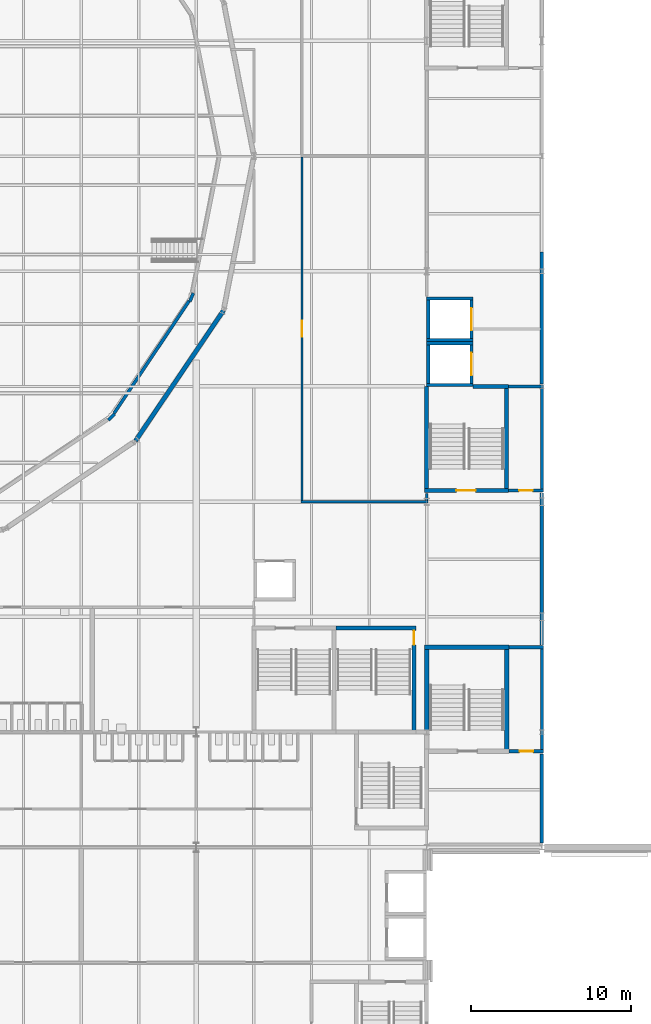
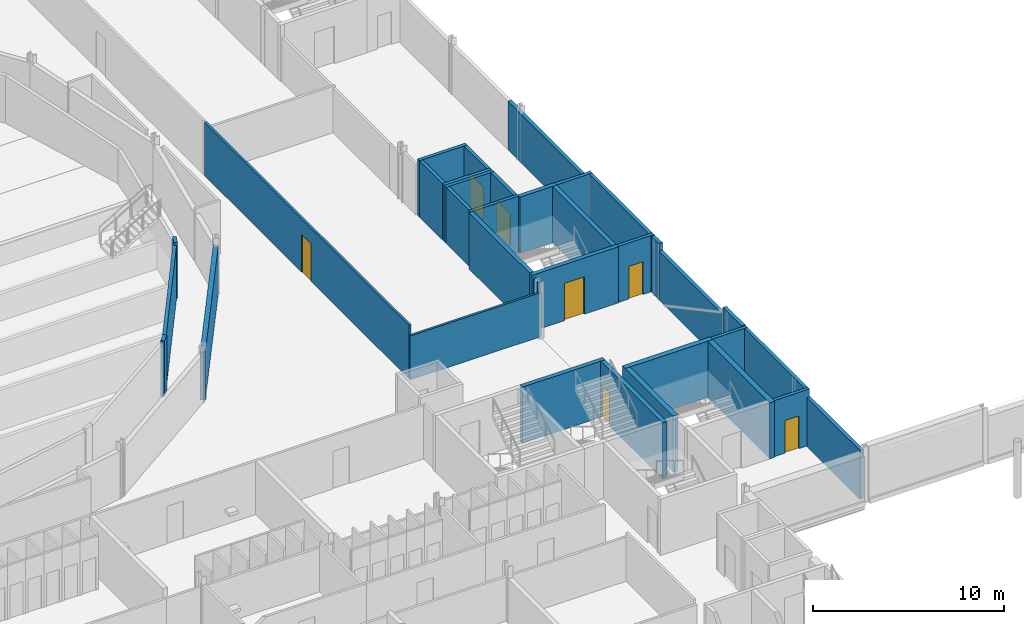
# One storey, part 50 of 90: 35 walls, 7 doors, 7 openings.
"""IFC4 building model written with IfcOpenShell, lengths in metres."""

from ifc_helpers import new_model, si_unit, direction, frame, frame_2d, origin, place, context, subcontext, project, spatial, rectangle, extrude, material, layer, layer_set, type_object, element, fill, save


model = new_model("IFC4")

# Units and contexts
model_context = context("Model", 3, precision=1e-05, world=origin(), true_north=direction((0.0, 1.0)))
body_context = subcontext(model_context, "Body", "Model", "MODEL_VIEW")
ifc_project = project(units=[si_unit("LENGTHUNIT", "METRE"), si_unit("AREAUNIT", "SQUARE_METRE"), si_unit("VOLUMEUNIT", "CUBIC_METRE"), si_unit("PLANEANGLEUNIT", "RADIAN"), si_unit("MASSUNIT", "GRAM", prefix="KILO")], contexts=[model_context])

# Site, building, storey
site_placement = place(None, origin())
site = spatial("IfcSite", under=ifc_project, at=site_placement, CompositionType="ELEMENT")
building_placement = place(site_placement, origin())
building = spatial("IfcBuilding", under=site, at=building_placement, Name="Kupolbacken Congress Centre", CompositionType="ELEMENT")
storey_placement = place(building_placement, frame((0.0, 0.0, 3.60009765625)))
storey = spatial("IfcBuildingStorey", under=building, at=storey_placement, Name="L01", CompositionType="ELEMENT", Elevation=3.60009765625)

# Walls
ifc_material_1 = material(Name="Gypsum board", Category="drywall")
ifc_layer_1 = layer(ifc_material_1, 0.135009765625)
ifc_layer_set_1 = layer_set([ifc_layer_1], Name="Gypsum board")
wall_type_1 = type_object("IfcWallType", Name="P06 compartment wall 135", PredefinedType="PARTITIONING", material=ifc_layer_set_1)
wall_1_placement = place(storey_placement, frame((79.199951171875, 65.31494140625, 0.0), z_axis=(0.0, 0.0, 1.0), x_axis=(0.0, -1.0, 0.0)))
element("IfcWall", 1, at=wall_1_placement, inside=storey, type_object=wall_type_1, Name="PD/L01/W009", PredefinedType="PARTITIONING", context=body_context, shape_type="SweptSolid", body=[
    extrude(rectangle(XDim=0.447509765625, YDim=0.135009765625, at=frame_2d((0.2236328125, 0.0))), origin(), (0.0, 0.0, 1.0), 3.419921875),
])
wall_2_placement = place(storey_placement, frame((79.267578125, 64.800048828125, 0.0), z_axis=(0.0, 0.0, 1.0), x_axis=(-1.0, 0.0, 0.0)))
element("IfcWall", 2, at=wall_2_placement, inside=storey, type_object=wall_type_1, Name="PD/L01/W068", PredefinedType="PARTITIONING", context=body_context, shape_type="SweptSolid", body=[
    extrude(rectangle(XDim=7.93505859375, YDim=0.135009765625, at=frame_2d((3.967529296875, 0.0))), origin(), (0.0, 0.0, 1.0), 2.81982421875),
])

# Wall, opening, door
wall_3_placement = place(storey_placement, frame((71.39990234375, 64.867431640625, 0.0), z_axis=(0.0, 0.0, 1.0), x_axis=(0.0, 1.0, 0.0)))
wall_3 = element("IfcWall", 3, at=wall_3_placement, inside=storey, type_object=wall_type_1, Name="PD/L01/W069", PredefinedType="PARTITIONING", context=body_context, shape_type="SweptSolid", body=[
    extrude(rectangle(XDim=21.465087890625, YDim=0.135009765625, at=frame_2d((10.732421875, 0.0))), origin(), (0.0, 0.0, 1.0), 3.419921875),
])
opening_1_placement = place(wall_3_placement, frame((10.25, 0.0, 0.0)))
opening_1 = element("IfcOpeningElement", 4, at=opening_1_placement, cuts=wall_3, Name="Opening 1.P15", PredefinedType="OPENING", context=body_context, shape_type="SweptSolid", body=[
    extrude(rectangle(XDim=1.0, YDim=2.39990234375, at=frame_2d((0.5, 1.199951171875))), frame((0.0, 0.077392578125, 0.0), z_axis=(0.0, -1.0, 0.0), x_axis=(1.0, 0.0, 0.0)), (0.0, 0.0, 1.0), 0.155029296875),
])
ifc_material_2 = material(Name="Steel fire door leaf", Category="steel")
door_type_1 = type_object("IfcDoorType", Name="D8 fire door 1000x2400", OperationType="SINGLE_SWING_LEFT", PredefinedType="DOOR", material=ifc_material_2)
door_1_placement = place(opening_1_placement, frame((1.0, 0.0, 0.0), z_axis=(0.0, 0.0, 1.0), x_axis=(-1.0, 0.0, 0.0)))
door_1 = element("IfcDoor", 5, at=door_1_placement, inside=storey, type_object=door_type_1, Name="PD/L01/W069/D1P15", OperationType="SINGLE_SWING_LEFT", OverallHeight=2.39990234375, OverallWidth=1.0, PredefinedType="DOOR", context=body_context, shape_type="SweptSolid", body=[
    extrude(rectangle(XDim=1.0, YDim=2.39990234375, at=frame_2d((0.5, 1.199951171875))), frame((0.0, 0.02490234375, 0.0), z_axis=(0.0, -1.0, 0.0), x_axis=(1.0, 0.0, 0.0)), (0.0, 0.0, 1.0), 0.050048828125),
])
fill(opening_1, door_1)

# Walls
ifc_material_3 = material(Name="Gypsum board", Category="drywall")
ifc_layer_2 = layer(ifc_material_3, 0.27490234375)
ifc_layer_set_2 = layer_set([ifc_layer_2], Name="Gypsum board")
wall_type_2 = type_object("IfcWallType", Name="P12 partition 275", PredefinedType="PARTITIONING", material=ifc_layer_set_2)
wall_4_placement = place(storey_placement, frame((61.0, 68.60009765625, 0.0), z_axis=(0.0, 0.0, 1.0), x_axis=(0.559390118145, 0.828904515443, 0.0)))
element("IfcWall", 6, at=wall_4_placement, inside=storey, type_object=wall_type_2, Name="PD/L01/W103", PredefinedType="PARTITIONING", context=body_context, shape_type="SweptSolid", body=[
    extrude(rectangle(XDim=9.83203125, YDim=0.27490234375, at=frame_2d((4.916015625, 0.0))), origin(), (0.0, 0.0, 1.0), 3.06982421875),
])
ifc_material_4 = material(Name="Dense concrete block", Category="masonry")
ifc_layer_3 = layer(ifc_material_4, 0.215087890625)
ifc_layer_set_3 = layer_set([ifc_layer_3], Name="Dense concrete block")
wall_type_3 = type_object("IfcWallType", Name="P15 partition 215", PredefinedType="PARTITIONING", material=ifc_layer_set_3)
wall_5_placement = place(storey_placement, frame((86.39990234375, 43.47998046875, 0.0), z_axis=(0.0, 0.0, 1.0), x_axis=(0.0, 1.0, 0.0)))
element("IfcWall", 7, at=wall_5_placement, inside=storey, type_object=wall_type_3, Name="PD/L01/W008", PredefinedType="PARTITIONING", context=body_context, shape_type="SweptSolid", body=[
    extrude(rectangle(XDim=5.56005859375, YDim=0.215087890625, at=frame_2d((2.780029296875, 0.0))), origin(), (0.0, 0.0, 1.0), 3.14990234375),
])
wall_6_placement = place(storey_placement, frame((86.39990234375, 55.860107421875, 0.0), z_axis=(0.0, 0.0, 1.0), x_axis=(0.0, 1.0, 0.0)))
element("IfcWall", 8, at=wall_6_placement, inside=storey, type_object=wall_type_3, Name="PD/L01/W010", PredefinedType="PARTITIONING", context=body_context, shape_type="SweptSolid", body=[
    extrude(rectangle(XDim=1.98486328125, YDim=0.215087890625, at=frame_2d((0.992431640625, 0.0))), origin(), (0.0, 0.0, 1.0), 3.599853515625),
])
wall_7_placement = place(storey_placement, frame((86.39990234375, 80.39990234375, 0.0), z_axis=(0.0, 0.0, 1.0), x_axis=(0.0, -1.0, 0.0)))
element("IfcWall", 9, at=wall_7_placement, inside=storey, type_object=wall_type_3, Name="PD/L01/W012", PredefinedType="PARTITIONING", context=body_context, shape_type="SweptSolid", body=[
    extrude(rectangle(XDim=8.239990234375, YDim=0.215087890625, at=frame_2d((4.1201171875, 0.0))), origin(), (0.0, 0.0, 1.0), 3.119873046875),
])
wall_8_placement = place(storey_placement, frame((86.39990234375, 57.844970703125, 0.0), z_axis=(0.0, 0.0, 1.0), x_axis=(0.0, 1.0, 0.0)))
element("IfcWall", 10, at=wall_8_placement, inside=storey, type_object=wall_type_3, Name="PD/L01/W010.h1", PredefinedType="PARTITIONING", context=body_context, shape_type="SweptSolid", body=[
    extrude(rectangle(XDim=6.7099609375, YDim=0.215087890625, at=frame_2d((3.35498046875, 0.0))), origin(), (0.0, 0.0, 1.0), 3.119873046875),
])
wall_9_placement = place(storey_placement, frame((86.39990234375, 64.554931640625, 0.0), z_axis=(0.0, 0.0, 1.0), x_axis=(0.0, 1.0, 0.0)))
element("IfcWall", 11, at=wall_9_placement, inside=storey, type_object=wall_type_3, Name="PD/L01/W010.h2", PredefinedType="PARTITIONING", context=body_context, shape_type="SweptSolid", body=[
    extrude(rectangle(XDim=0.78515625, YDim=0.215087890625, at=frame_2d((0.392578125, 0.0))), origin(), (0.0, 0.0, 1.0), 3.599853515625),
])
ifc_material_5 = material(Name="Concrete C40/50", Category="concrete")
ifc_layer_4 = layer(ifc_material_5, 0.199951171875)
ifc_layer_set_4 = layer_set([ifc_layer_4], Name="Concrete C40/50")
wall_type_4 = type_object("IfcWallType", Name="TW1 RC tier wall 200", PredefinedType="SOLIDWALL", material=ifc_layer_set_4)
wall_10_placement = place(storey_placement, frame((59.66357421875, 70.332275390625, 0.0), z_axis=(0.0, 0.0, 1.0), x_axis=(0.555575794142, 0.831465896453, 0.0)))
element("IfcWall", 12, at=wall_10_placement, inside=storey, type_object=wall_type_4, Name="PD/L01/ringwall/3150", PredefinedType="SOLIDWALL", context=body_context, shape_type="SweptSolid", body=[
    extrude(rectangle(XDim=8.42626953125, YDim=0.199951171875, at=frame_2d((4.213134765625, 0.0))), origin(), (0.0, 0.0, 1.0), 3.431884765625),
])
for number, where, z_axis, x_axis, name in (
    (13, (59.30712890625, 69.89697265625, 0.0), (0.0, 0.0, 1.0), (0.707106781187, 0.707106781187, 0.0), "PD/L01/ringpier/3150"),
    (14, (64.396484375, 77.317138671875, 0.0), (0.0, 0.0, 1.0), (0.382788170111, 0.92383614176, 0.0), "PD/L01/ringpier/3375"),
):
    element("IfcWall", number, at=place(storey_placement, frame(where, z_axis=z_axis, x_axis=x_axis)), inside=storey, type_object=wall_type_4, Name=name, PredefinedType="SOLIDWALL", context=body_context, shape_type="SweptSolid", body=[
        extrude(rectangle(XDim=0.56005859375, YDim=0.199951171875, at=frame_2d((0.280029296875, 0.0))), origin(), (0.0, 0.0, 1.0), 3.599853515625),
    ])

# Wall, opening, door
ifc_material_6 = material(Name="Concrete C40/50", Category="concrete")
ifc_layer_5 = layer(ifc_material_6, 0.199951171875)
ifc_layer_set_5 = layer_set([ifc_layer_5], Name="Concrete C40/50")
wall_type_5 = type_object("IfcWallType", Name="WC1 RC shaft wall 200", PredefinedType="SHEAR", material=ifc_layer_set_5)
wall_11_placement = place(storey_placement, frame((84.35009765625, 49.199951171875, 0.0), z_axis=(0.0, 0.0, 1.0), x_axis=(1.0, 0.0, 0.0)))
wall_11 = element("IfcWall", 15, at=wall_11_placement, inside=storey, type_object=wall_type_5, Name="Shaft wall L01-020", PredefinedType="SHEAR", context=body_context, shape_type="SweptSolid", body=[
    extrude(rectangle(XDim=2.14990234375, YDim=0.199951171875, at=frame_2d((1.074951171875, 0.0))), origin(), (0.0, 0.0, 1.0), 3.599853515625),
])
opening_2_placement = place(wall_11_placement, frame((0.64990234375, 0.0, 0.0)))
opening_2 = element("IfcOpeningElement", 16, at=opening_2_placement, cuts=wall_11, Name="Opening 1.L05", PredefinedType="OPENING", context=body_context, shape_type="SweptSolid", body=[
    extrude(rectangle(XDim=0.85009765625, YDim=2.10009765625, at=frame_2d((0.425048828125, 1.050048828125))), frame((0.0, 0.10986328125, 0.0), z_axis=(0.0, -1.0, 0.0), x_axis=(1.0, 0.0, 0.0)), (0.0, 0.0, 1.0), 0.219970703125),
])
ifc_material_7 = material(Name="Steel fire door leaf", Category="steel")
door_type_2 = type_object("IfcDoorType", Name="D3 fire door 850x2100", OperationType="SINGLE_SWING_LEFT", PredefinedType="DOOR", material=ifc_material_7)
door_2_placement = place(opening_2_placement, origin())
door_2 = element("IfcDoor", 17, at=door_2_placement, inside=storey, type_object=door_type_2, Name="S/core/L01/020/D1L05", OperationType="SINGLE_SWING_LEFT", OverallHeight=2.10009765625, OverallWidth=0.85009765625, PredefinedType="DOOR", context=body_context, shape_type="SweptSolid", body=[
    extrude(rectangle(XDim=0.85009765625, YDim=2.10009765625, at=frame_2d((0.425048828125, 1.050048828125))), frame((0.0, 0.02490234375, 0.0), z_axis=(0.0, -1.0, 0.0), x_axis=(1.0, 0.0, 0.0)), (0.0, 0.0, 1.0), 0.050048828125),
])
fill(opening_2, door_2)

# Walls
wall_12_placement = place(storey_placement, frame((86.39990234375, 49.10009765625, 0.0), z_axis=(0.0, 0.0, 1.0), x_axis=(0.0, 1.0, 0.0)))
element("IfcWall", 18, at=wall_12_placement, inside=storey, type_object=wall_type_5, Name="Shaft wall L01-022", PredefinedType="SHEAR", context=body_context, shape_type="SweptSolid", body=[
    extrude(rectangle(XDim=6.699951171875, YDim=0.199951171875, at=frame_2d((3.35009765625, 0.0))), origin(), (0.0, 0.0, 1.0), 3.599853515625),
])
wall_13_placement = place(storey_placement, frame((86.5, 55.699951171875, 0.0), z_axis=(0.0, 0.0, 1.0), x_axis=(-1.0, 0.0, 0.0)))
element("IfcWall", 19, at=wall_13_placement, inside=storey, type_object=wall_type_5, Name="Shaft wall L01-039", PredefinedType="SHEAR", context=body_context, shape_type="SweptSolid", body=[
    extrude(rectangle(XDim=2.14990234375, YDim=0.199951171875, at=frame_2d((1.074951171875, 0.0))), origin(), (0.0, 0.0, 1.0), 3.599853515625),
])

# Wall, opening, door
wall_14_placement = place(storey_placement, frame((84.324951171875, 65.5, 0.0), z_axis=(0.0, 0.0, 1.0), x_axis=(1.0, 0.0, 0.0)))
wall_14 = element("IfcWall", 20, at=wall_14_placement, inside=storey, type_object=wall_type_5, Name="Shaft wall L01-046", PredefinedType="SHEAR", context=body_context, shape_type="SweptSolid", body=[
    extrude(rectangle(XDim=2.175048828125, YDim=0.199951171875, at=frame_2d((1.08740234375, 0.0))), origin(), (0.0, 0.0, 1.0), 3.599853515625),
])
opening_3_placement = place(wall_14_placement, frame((0.64990234375, 0.0, 0.0)))
opening_3 = element("IfcOpeningElement", 21, at=opening_3_placement, cuts=wall_14, Name="Opening 1.L07", PredefinedType="OPENING", context=body_context, shape_type="SweptSolid", body=[
    extrude(rectangle(XDim=0.85009765625, YDim=2.10009765625, at=frame_2d((0.425048828125, 1.050048828125))), frame((0.0, 0.10986328125, 0.0), z_axis=(0.0, -1.0, 0.0), x_axis=(1.0, 0.0, 0.0)), (0.0, 0.0, 1.0), 0.219970703125),
])
door_3_placement = place(opening_3_placement, origin())
door_3 = element("IfcDoor", 22, at=door_3_placement, inside=storey, type_object=door_type_2, Name="S/core/L01/046/D1L07", OperationType="SINGLE_SWING_LEFT", OverallHeight=2.10009765625, OverallWidth=0.85009765625, PredefinedType="DOOR", context=body_context, shape_type="SweptSolid", body=[
    extrude(rectangle(XDim=0.85009765625, YDim=2.10009765625, at=frame_2d((0.425048828125, 1.050048828125))), frame((0.0, 0.02490234375, 0.0), z_axis=(0.0, -1.0, 0.0), x_axis=(1.0, 0.0, 0.0)), (0.0, 0.0, 1.0), 0.050048828125),
])
fill(opening_3, door_3)

# Walls
wall_15_placement = place(storey_placement, frame((86.39990234375, 65.39990234375, 0.0), z_axis=(0.0, 0.0, 1.0), x_axis=(0.0, 1.0, 0.0)))
element("IfcWall", 23, at=wall_15_placement, inside=storey, type_object=wall_type_5, Name="Shaft wall L01-048", PredefinedType="SHEAR", context=body_context, shape_type="SweptSolid", body=[
    extrude(rectangle(XDim=6.7001953125, YDim=0.199951171875, at=frame_2d((3.35009765625, 0.0))), origin(), (0.0, 0.0, 1.0), 3.599853515625),
])
wall_16_placement = place(storey_placement, frame((86.5, 72.0, 0.0), z_axis=(0.0, 0.0, 1.0), x_axis=(-1.0, 0.0, 0.0)))
element("IfcWall", 24, at=wall_16_placement, inside=storey, type_object=wall_type_5, Name="Shaft wall L01-051", PredefinedType="SHEAR", context=body_context, shape_type="SweptSolid", body=[
    extrude(rectangle(XDim=2.175048828125, YDim=0.199951171875, at=frame_2d((1.08740234375, 0.0))), origin(), (0.0, 0.0, 1.0), 3.599853515625),
])
for number, where, z_axis, x_axis, name in (
    (25, (79.199951171875, 72.10009765625, 0.0), (0.0, 0.0, 1.0), (1.0, 0.0, 0.0), "Shaft wall LG3"),
    (26, (79.199951171875, 74.699951171875, 0.0), (0.0, 0.0, 1.0), (1.0, 0.0, 0.0), "Shaft wall LG3"),
):
    element("IfcWall", number, at=place(storey_placement, frame(where, z_axis=z_axis, x_axis=x_axis)), inside=storey, type_object=wall_type_5, Name=name, PredefinedType="SHEAR", context=body_context, shape_type="SweptSolid", body=[
        extrude(rectangle(XDim=2.900146484375, YDim=0.199951171875, at=frame_2d((1.4501953125, 0.0))), origin(), (0.0, 0.0, 1.0), 3.599853515625),
    ])
wall_17_placement = place(storey_placement, frame((79.300048828125, 72.199951171875, 0.0), z_axis=(0.0, 0.0, 1.0), x_axis=(0.0, 1.0, 0.0)))
element("IfcWall", 27, at=wall_17_placement, inside=storey, type_object=wall_type_5, Name="Shaft wall LG3", PredefinedType="SHEAR", context=body_context, shape_type="SweptSolid", body=[
    extrude(rectangle(XDim=2.400146484375, YDim=0.199951171875, at=frame_2d((1.2001953125, 0.0))), origin(), (0.0, 0.0, 1.0), 3.599853515625),
])

# Wall, opening, door
wall_18_placement = place(storey_placement, frame((82.0, 72.199951171875, 0.0), z_axis=(0.0, 0.0, 1.0), x_axis=(0.0, 1.0, 0.0)))
wall_18 = element("IfcWall", 28, at=wall_18_placement, inside=storey, type_object=wall_type_5, Name="Shaft wall LG3", PredefinedType="SHEAR", context=body_context, shape_type="SweptSolid", body=[
    extrude(rectangle(XDim=2.400146484375, YDim=0.199951171875, at=frame_2d((1.2001953125, 0.0))), origin(), (0.0, 0.0, 1.0), 3.599853515625),
])
opening_4_placement = place(wall_18_placement, frame((0.5, 0.0, 0.0)))
opening_4 = element("IfcOpeningElement", 29, at=opening_4_placement, cuts=wall_18, Name="Opening LD3", PredefinedType="OPENING", context=body_context, shape_type="SweptSolid", body=[
    extrude(rectangle(XDim=1.39990234375, YDim=2.10009765625, at=frame_2d((0.699951171875, 1.050048828125))), frame((0.0, 0.10986328125, 0.0), z_axis=(0.0, -1.0, 0.0), x_axis=(1.0, 0.0, 0.0)), (0.0, 0.0, 1.0), 0.219970703125),
])
ifc_material_8 = material(Name="Stainless steel door leaf", Category="steel")
door_type_3 = type_object("IfcDoorType", Name="LD3 lift landing door 1400x2100", OperationType="SLIDING_TO_LEFT", PredefinedType="DOOR", material=ifc_material_8)
door_4_placement = place(opening_4_placement, origin())
door_4 = element("IfcDoor", 30, at=door_4_placement, inside=storey, type_object=door_type_3, Name="Lift landing door LG3", OperationType="SLIDING_TO_LEFT", OverallHeight=2.10009765625, OverallWidth=1.39990234375, PredefinedType="DOOR", context=body_context, shape_type="SweptSolid", body=[
    extrude(rectangle(XDim=1.39990234375, YDim=2.10009765625, at=frame_2d((0.699951171875, 1.050048828125))), frame((0.0, 0.02490234375, 0.0), z_axis=(0.0, -1.0, 0.0), x_axis=(1.0, 0.0, 0.0)), (0.0, 0.0, 1.0), 0.050048828125),
])
fill(opening_4, door_4)

# Walls
for number, where, z_axis, x_axis, name in (
    (31, (79.199951171875, 74.89990234375, 0.0), (0.0, 0.0, 1.0), (1.0, 0.0, 0.0), "Shaft wall LG4"),
    (32, (79.199951171875, 77.5, 0.0), (0.0, 0.0, 1.0), (1.0, 0.0, 0.0), "Shaft wall LG4"),
):
    element("IfcWall", number, at=place(storey_placement, frame(where, z_axis=z_axis, x_axis=x_axis)), inside=storey, type_object=wall_type_5, Name=name, PredefinedType="SHEAR", context=body_context, shape_type="SweptSolid", body=[
        extrude(rectangle(XDim=2.900146484375, YDim=0.199951171875, at=frame_2d((1.4501953125, 0.0))), origin(), (0.0, 0.0, 1.0), 3.599853515625),
    ])
wall_19_placement = place(storey_placement, frame((79.300048828125, 75.0, 0.0), z_axis=(0.0, 0.0, 1.0), x_axis=(0.0, 1.0, 0.0)))
element("IfcWall", 33, at=wall_19_placement, inside=storey, type_object=wall_type_5, Name="Shaft wall LG4", PredefinedType="SHEAR", context=body_context, shape_type="SweptSolid", body=[
    extrude(rectangle(XDim=2.39990234375, YDim=0.199951171875, at=frame_2d((1.199951171875, 0.0))), origin(), (0.0, 0.0, 1.0), 3.599853515625),
])

# Wall, opening, door
wall_20_placement = place(storey_placement, frame((82.0, 75.0, 0.0), z_axis=(0.0, 0.0, 1.0), x_axis=(0.0, 1.0, 0.0)))
wall_20 = element("IfcWall", 34, at=wall_20_placement, inside=storey, type_object=wall_type_5, Name="Shaft wall LG4", PredefinedType="SHEAR", context=body_context, shape_type="SweptSolid", body=[
    extrude(rectangle(XDim=2.39990234375, YDim=0.199951171875, at=frame_2d((1.199951171875, 0.0))), origin(), (0.0, 0.0, 1.0), 3.599853515625),
])
opening_5_placement = place(wall_20_placement, frame((0.5, 0.0, 0.0)))
opening_5 = element("IfcOpeningElement", 35, at=opening_5_placement, cuts=wall_20, Name="Opening LD3", PredefinedType="OPENING", context=body_context, shape_type="SweptSolid", body=[
    extrude(rectangle(XDim=1.39990234375, YDim=2.10009765625, at=frame_2d((0.699951171875, 1.050048828125))), frame((0.0, 0.10986328125, 0.0), z_axis=(0.0, -1.0, 0.0), x_axis=(1.0, 0.0, 0.0)), (0.0, 0.0, 1.0), 0.219970703125),
])
door_5_placement = place(opening_5_placement, origin())
door_5 = element("IfcDoor", 36, at=door_5_placement, inside=storey, type_object=door_type_3, Name="Lift landing door LG4", OperationType="SLIDING_TO_LEFT", OverallHeight=2.10009765625, OverallWidth=1.39990234375, PredefinedType="DOOR", context=body_context, shape_type="SweptSolid", body=[
    extrude(rectangle(XDim=1.39990234375, YDim=2.10009765625, at=frame_2d((0.699951171875, 1.050048828125))), frame((0.0, 0.02490234375, 0.0), z_axis=(0.0, -1.0, 0.0), x_axis=(1.0, 0.0, 0.0)), (0.0, 0.0, 1.0), 0.050048828125),
])
fill(opening_5, door_5)

ifc_material_9 = material(Name="Concrete C40/50", Category="concrete")
ifc_layer_6 = layer(ifc_material_9, 0.25)
ifc_layer_set_6 = layer_set([ifc_layer_6], Name="Concrete C40/50")
wall_type_6 = type_object("IfcWallType", Name="WC2 RC stair enclosure wall 250", PredefinedType="SHEAR", material=ifc_layer_set_6)
wall_21_placement = place(storey_placement, frame((78.39990234375, 50.27490234375, 0.0), z_axis=(0.0, 0.0, 1.0), x_axis=(0.0, 1.0, 0.0)))
wall_21 = element("IfcWall", 37, at=wall_21_placement, inside=storey, type_object=wall_type_6, Name="Stair enclosure wall L01-032", PredefinedType="SHEAR", context=body_context, shape_type="SweptSolid", body=[
    extrude(rectangle(XDim=6.75, YDim=0.25, at=frame_2d((3.375, 0.0))), origin(), (0.0, 0.0, 1.0), 3.599853515625),
])
opening_6_placement = place(wall_21_placement, frame((5.574951171875, 0.0, 0.0)))
opening_6 = element("IfcOpeningElement", 38, at=opening_6_placement, cuts=wall_21, Name="Opening 1.P04", PredefinedType="OPENING", context=body_context, shape_type="SweptSolid", body=[
    extrude(rectangle(XDim=0.89990234375, YDim=2.10009765625, at=frame_2d((0.449951171875, 1.050048828125))), frame((0.0, 0.135009765625, 0.0), z_axis=(0.0, -1.0, 0.0), x_axis=(1.0, 0.0, 0.0)), (0.0, 0.0, 1.0), 0.27001953125),
])
ifc_material_10 = material(Name="Steel fire door leaf", Category="steel")
door_type_4 = type_object("IfcDoorType", Name="D4 fire door 900x2100", OperationType="SINGLE_SWING_LEFT", PredefinedType="DOOR", material=ifc_material_10)
door_6_placement = place(opening_6_placement, origin())
door_6 = element("IfcDoor", 39, at=door_6_placement, inside=storey, type_object=door_type_4, Name="S/core/L01/032/D1P04", OperationType="SINGLE_SWING_LEFT", OverallHeight=2.10009765625, OverallWidth=0.89990234375, PredefinedType="DOOR", context=body_context, shape_type="SweptSolid", body=[
    extrude(rectangle(XDim=0.89990234375, YDim=2.10009765625, at=frame_2d((0.449951171875, 1.050048828125))), frame((0.0, 0.02490234375, 0.0), z_axis=(0.0, -1.0, 0.0), x_axis=(1.0, 0.0, 0.0)), (0.0, 0.0, 1.0), 0.050048828125),
])
fill(opening_6, door_6)

# Wall
wall_22_placement = place(storey_placement, frame((78.52490234375, 56.89990234375, 0.0), z_axis=(0.0, 0.0, 1.0), x_axis=(-1.0, 0.0, 0.0)))
element("IfcWall", 40, at=wall_22_placement, inside=storey, type_object=wall_type_6, Name="Stair enclosure wall L01-042", PredefinedType="SHEAR", context=body_context, shape_type="SweptSolid", body=[
    extrude(rectangle(XDim=5.0, YDim=0.25, at=frame_2d((2.5, 0.0))), origin(), (0.0, 0.0, 1.0), 3.599853515625),
])

# Wall, opening, door
wall_23_placement = place(storey_placement, frame((79.074951171875, 65.5, 0.0), z_axis=(0.0, 0.0, 1.0), x_axis=(1.0, 0.0, 0.0)))
wall_23 = element("IfcWall", 41, at=wall_23_placement, inside=storey, type_object=wall_type_6, Name="Stair enclosure wall L01-045", PredefinedType="SHEAR", context=body_context, shape_type="SweptSolid", body=[
    extrude(rectangle(XDim=5.25, YDim=0.25, at=frame_2d((2.625, 0.0))), origin(), (0.0, 0.0, 1.0), 3.599853515625),
])
opening_7_placement = place(wall_23_placement, frame((1.97509765625, 0.0, 0.0)))
opening_7 = element("IfcOpeningElement", 42, at=opening_7_placement, cuts=wall_23, Name="Opening 1.L02", PredefinedType="OPENING", context=body_context, shape_type="SweptSolid", body=[
    extrude(rectangle(XDim=1.199951171875, YDim=2.39990234375, at=frame_2d((0.60009765625, 1.199951171875))), frame((0.0, 0.135009765625, 0.0), z_axis=(0.0, -1.0, 0.0), x_axis=(1.0, 0.0, 0.0)), (0.0, 0.0, 1.0), 0.27001953125),
])
ifc_material_11 = material(Name="Steel fire door leaf", Category="steel")
door_type_5 = type_object("IfcDoorType", Name="D9 fire door 1200x2400", OperationType="SINGLE_SWING_LEFT", PredefinedType="DOOR", material=ifc_material_11)
door_7_placement = place(opening_7_placement, origin())
door_7 = element("IfcDoor", 43, at=door_7_placement, inside=storey, type_object=door_type_5, Name="S/core/L01/045/D1L02", OperationType="SINGLE_SWING_RIGHT", OverallHeight=2.39990234375, OverallWidth=1.199951171875, PredefinedType="DOOR", context=body_context, shape_type="SweptSolid", body=[
    extrude(rectangle(XDim=1.199951171875, YDim=2.39990234375, at=frame_2d((0.60009765625, 1.199951171875))), frame((0.0, 0.02490234375, 0.0), z_axis=(0.0, -1.0, 0.0), x_axis=(1.0, 0.0, 0.0)), (0.0, 0.0, 1.0), 0.050048828125),
])
fill(opening_7, door_7)

# Walls
wall_24_placement = place(storey_placement, frame((84.199951171875, 65.375, 0.0), z_axis=(0.0, 0.0, 1.0), x_axis=(0.0, 1.0, 0.0)))
element("IfcWall", 44, at=wall_24_placement, inside=storey, type_object=wall_type_6, Name="Stair enclosure wall L01-047", PredefinedType="SHEAR", context=body_context, shape_type="SweptSolid", body=[
    extrude(rectangle(XDim=6.75, YDim=0.25, at=frame_2d((3.375, 0.0))), origin(), (0.0, 0.0, 1.0), 3.599853515625),
])
wall_25_placement = place(storey_placement, frame((79.199951171875, 72.0, 0.0), z_axis=(0.0, 0.0, 1.0), x_axis=(0.0, -1.0, 0.0)))
element("IfcWall", 45, at=wall_25_placement, inside=storey, type_object=wall_type_6, Name="Stair enclosure wall L01-049", PredefinedType="SHEAR", context=body_context, shape_type="SweptSolid", body=[
    extrude(rectangle(XDim=6.625, YDim=0.25, at=frame_2d((3.3125, 0.0))), origin(), (0.0, 0.0, 1.0), 3.599853515625),
])
wall_26_placement = place(storey_placement, frame((82.10009765625, 72.0, 0.0), z_axis=(0.0, 0.0, 1.0), x_axis=(1.0, 0.0, 0.0)))
element("IfcWall", 46, at=wall_26_placement, inside=storey, type_object=wall_type_6, Name="Stair enclosure wall L01-050", PredefinedType="SHEAR", context=body_context, shape_type="SweptSolid", body=[
    extrude(rectangle(XDim=2.224853515625, YDim=0.25, at=frame_2d((1.1123046875, 0.0))), origin(), (0.0, 0.0, 1.0), 3.599853515625),
])
ifc_material_12 = material(Name="Concrete C40/50", Category="concrete")
ifc_layer_7 = layer(ifc_material_12, 0.300048828125)
ifc_layer_set_7 = layer_set([ifc_layer_7], Name="Concrete C40/50")
wall_type_7 = type_object("IfcWallType", Name="WC3 RC core wall 300", PredefinedType="SHEAR", material=ifc_layer_set_7)
wall_27_placement = place(storey_placement, frame((84.199951171875, 49.050048828125, 0.0), z_axis=(0.0, 0.0, 1.0), x_axis=(0.0, 1.0, 0.0)))
element("IfcWall", 47, at=wall_27_placement, inside=storey, type_object=wall_type_7, Name="Core wall L01-021", PredefinedType="SHEAR", context=body_context, shape_type="SweptSolid", body=[
    extrude(rectangle(XDim=6.800048828125, YDim=0.300048828125, at=frame_2d((3.39990234375, 0.0))), origin(), (0.0, 0.0, 1.0), 3.599853515625),
])
wall_28_placement = place(storey_placement, frame((79.199951171875, 55.85009765625, 0.0), z_axis=(0.0, 0.0, 1.0), x_axis=(0.0, -1.0, 0.0)))
element("IfcWall", 48, at=wall_28_placement, inside=storey, type_object=wall_type_7, Name="Core wall L01-037", PredefinedType="SHEAR", context=body_context, shape_type="SweptSolid", body=[
    extrude(rectangle(XDim=5.3251953125, YDim=0.300048828125, at=frame_2d((2.66259765625, 0.0))), origin(), (0.0, 0.0, 1.0), 3.599853515625),
])
wall_29_placement = place(storey_placement, frame((84.35009765625, 55.699951171875, 0.0), z_axis=(0.0, 0.0, 1.0), x_axis=(-1.0, 0.0, 0.0)))
element("IfcWall", 49, at=wall_29_placement, inside=storey, type_object=wall_type_7, Name="Core wall L01-038", PredefinedType="SHEAR", context=body_context, shape_type="SweptSolid", body=[
    extrude(rectangle(XDim=5.300048828125, YDim=0.300048828125, at=frame_2d((2.64990234375, 0.0))), origin(), (0.0, 0.0, 1.0), 3.599853515625),
])

save(model, "model.ifc")
